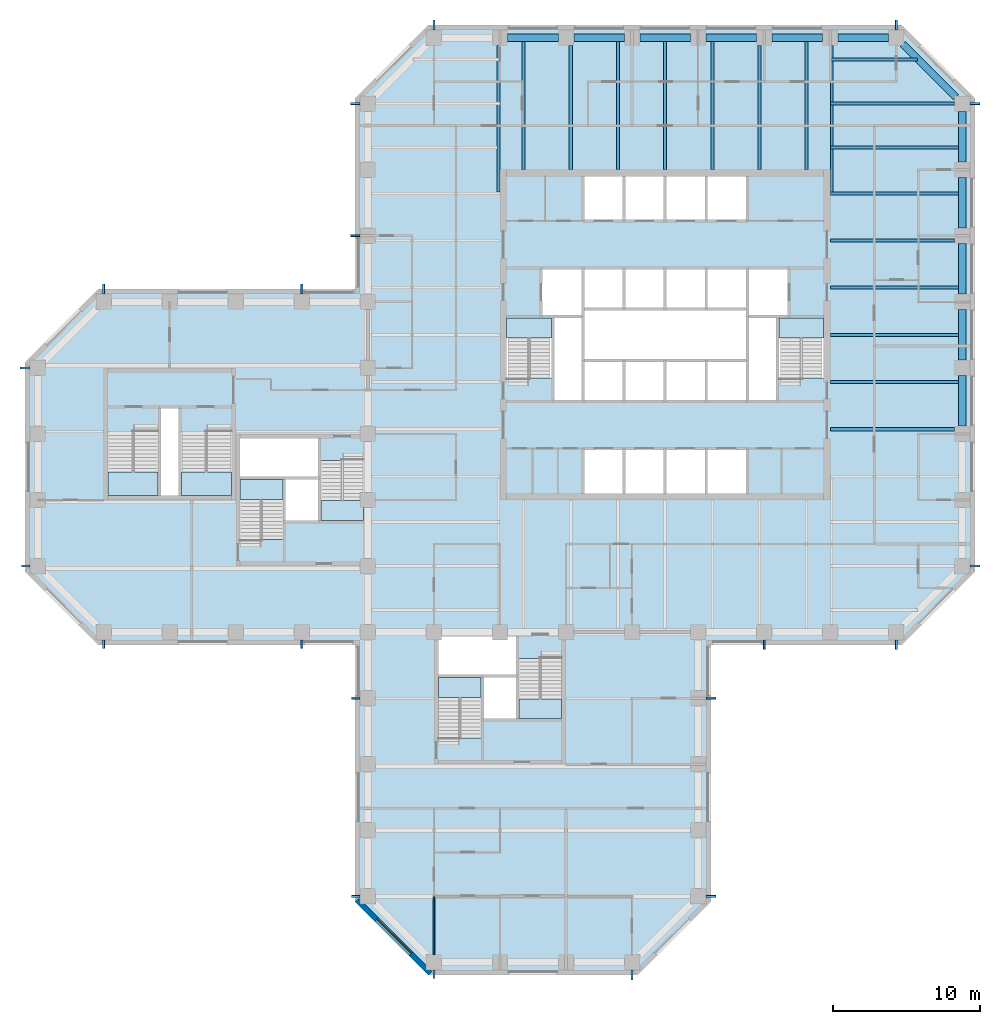
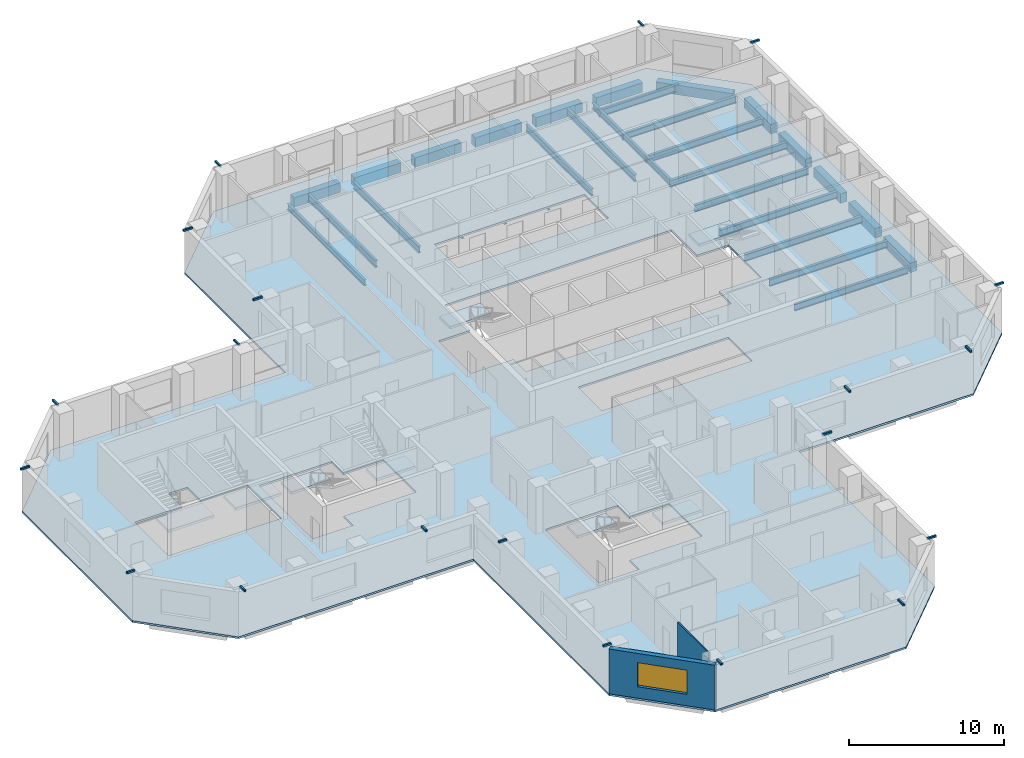
# One storey, part 2 of 11: 50 beams, 9 slabs, 2 walls, 1 window, 1 opening, 8 elements without a shape of their own.
"""IFC4 building model written with IfcOpenShell, lengths in metres."""

from ifc_helpers import new_model, si_unit, direction, frame, frame_2d, origin, origin_2d, place, context, subcontext, project, spatial, polyline, rectangle, hollow_rectangle, i_section, outline, extrude, material, layer, layer_set, constituent, constituent_set, material_profile, profile_set, type_object, element, fill, aggregate, save


model = new_model("IFC4")

# Units and contexts
model_context = context("Model", 3, precision=1e-05, world=origin(), true_north=direction((0.0, 1.0)))
body_context = subcontext(model_context, "Body", "Model", "MODEL_VIEW")
ifc_project = project(units=[si_unit("LENGTHUNIT", "METRE"), si_unit("AREAUNIT", "SQUARE_METRE"), si_unit("VOLUMEUNIT", "CUBIC_METRE"), si_unit("PLANEANGLEUNIT", "RADIAN"), si_unit("MASSUNIT", "GRAM", prefix="KILO")], contexts=[model_context])

# Site, building, storey
site_placement = place(None, origin())
site = spatial("IfcSite", under=ifc_project, at=site_placement, CompositionType="ELEMENT")
building_placement = place(site_placement, origin())
building = spatial("IfcBuilding", under=site, at=building_placement, Name="Quoin Convention Tower", CompositionType="ELEMENT")
storey_placement = place(building_placement, frame((0.0, 0.0, 123.300048828125)))
storey = spatial("IfcBuildingStorey", under=building, at=storey_placement, Name="L32", CompositionType="ELEMENT", Elevation=123.300048828125)

# Beams
ifc_material_1 = material(Name="Steel C450L0", Category="steel")
ifc_material_profile_1 = material_profile(ifc_material_1, hollow_rectangle(XDim=0.14990234375, YDim=0.14990234375, WallThickness=0.008056640625, InnerFilletRadius=0.011962890625, OuterFilletRadius=0.02001953125, at=origin_2d()), Name="150x150x8.0SHS")
ifc_profile_set_1 = profile_set([ifc_material_profile_1], Name="Steel C450L0")
beam_type_1 = type_object("IfcBeamType", Name="150x150x8.0SHS", PredefinedType="BEAM", material=ifc_profile_set_1)
beam_1_placement = place(storey_placement, frame((12.97509765625, 58.5, 3.625), z_axis=(-1.0, 0.0, 0.0), x_axis=(0.0, -1.0, 0.0)))
element("IfcBeam", 1, at=beam_1_placement, inside=storey, type_object=beam_type_1, Name="brk-hi-L29-13500_58500-13500_54000", PredefinedType="BEAM", context=body_context, shape_type="SweptSolid", body=[
    extrude(hollow_rectangle(XDim=0.14990234375, YDim=0.14990234375, WallThickness=0.008056640625, InnerFilletRadius=0.011962890625, OuterFilletRadius=0.02001953125, at=origin_2d()), origin(), (0.0, 0.0, 1.0), 0.675048828125),
])
for number, where, z_axis, x_axis, name in (
    (2, (12.97509765625, 45.0, 3.625), (-1.0, 0.0, 0.0), (0.0, -1.0, 0.0), "brk-hi-L29-13500_49500-13500_45000"),
    (3, (18.0, 39.97509765625, 3.625), (0.0, -1.0, 0.0), (1.0, 0.0, 0.0), "brk-hi-L29-18000_40500-22500_40500"),
    (4, (31.5, 39.97509765625, 3.625), (0.0, -1.0, 0.0), (1.0, 0.0, 0.0), "brk-hi-L29-27000_40500-31500_40500"),
    (5, (35.47509765625, 36.0, 3.625), (-1.0, 0.0, 0.0), (0.0, -1.0, 0.0), "brk-hi-L29-36000_36000-36000_31500"),
    (6, (35.47509765625, 22.5, 3.625), (-1.0, 0.0, 0.0), (0.0, -1.0, 0.0), "brk-hi-L29-36000_27000-36000_22500"),
):
    element("IfcBeam", number, at=place(storey_placement, frame(where, z_axis=z_axis, x_axis=x_axis)), inside=storey, type_object=beam_type_1, Name=name, PredefinedType="BEAM", context=body_context, shape_type="SweptSolid", body=[
        extrude(hollow_rectangle(XDim=0.14990234375, YDim=0.14990234375, WallThickness=0.008056640625, InnerFilletRadius=0.011962890625, OuterFilletRadius=0.02001953125, at=origin_2d()), origin(), (0.0, 0.0, 1.0), 0.5751953125),
    ])
for number, where, z_axis, x_axis, name in (
    (7, (31.5, 63.52490234375, 3.625), (0.0, 1.0, 0.0), (-1.0, 0.0, 0.0), "brk-hi-L29-31500_63000-27000_63000"),
    (8, (18.0, 63.52490234375, 3.625), (0.0, 1.0, 0.0), (-1.0, 0.0, 0.0), "brk-hi-L29-22500_63000-18000_63000"),
    (9, (35.47509765625, 76.5, 3.625), (-1.0, 0.0, 0.0), (0.0, -1.0, 0.0), "brk-hi-L29-36000_76500-36000_72000"),
    (10, (35.47509765625, 67.5, 3.625), (-1.0, 0.0, 0.0), (0.0, -1.0, 0.0), "brk-hi-L29-36000_72000-36000_67500"),
):
    element("IfcBeam", number, at=place(storey_placement, frame(where, z_axis=z_axis, x_axis=x_axis)), inside=storey, type_object=beam_type_1, Name=name, PredefinedType="BEAM", context=body_context, shape_type="SweptSolid", body=[
        extrude(hollow_rectangle(XDim=0.14990234375, YDim=0.14990234375, WallThickness=0.008056640625, InnerFilletRadius=0.011962890625, OuterFilletRadius=0.02001953125, at=origin_2d()), origin(), (0.0, 0.0, 1.0), 0.675048828125),
    ])
beam_2_placement = place(storey_placement, frame((40.5, 17.47509765625, 3.625), z_axis=(0.0, -1.0, 0.0), x_axis=(1.0, 0.0, 0.0)))
element("IfcBeam", 11, at=beam_2_placement, inside=storey, type_object=beam_type_1, Name="brk-hi-L29-40500_18000-45000_18000", PredefinedType="BEAM", context=body_context, shape_type="SweptSolid", body=[
    extrude(hollow_rectangle(XDim=0.14990234375, YDim=0.14990234375, WallThickness=0.008056640625, InnerFilletRadius=0.011962890625, OuterFilletRadius=0.02001953125, at=origin_2d()), origin(), (0.0, 0.0, 1.0), 0.5751953125),
])
for number, where, z_axis, x_axis, name in (
    (12, (54.0, 17.47509765625, 3.625), (0.0, -1.0, 0.0), (1.0, 0.0, 0.0), "brk-hi-L29-49500_18000-54000_18000"),
    (13, (59.02490234375, 22.5, 3.625), (1.0, 0.0, 0.0), (0.0, 1.0, 0.0), "brk-hi-L29-58500_22500-58500_27000"),
    (14, (59.02490234375, 36.0, 3.625), (1.0, 0.0, 0.0), (0.0, 1.0, 0.0), "brk-hi-L29-58500_31500-58500_36000"),
    (15, (63.0, 39.97509765625, 3.625), (0.0, -1.0, 0.0), (1.0, 0.0, 0.0), "brk-hi-L29-63000_40500-67500_40500"),
    (16, (72.0, 39.97509765625, 3.625), (0.0, -1.0, 0.0), (1.0, 0.0, 0.0), "brk-hi-L29-67500_40500-72000_40500"),
    (17, (72.0, 81.52490234375, 3.625), (0.0, 1.0, 0.0), (-1.0, 0.0, 0.0), "brk-hi-L29-72000_81000-67500_81000"),
    (18, (40.5, 81.52490234375, 3.625), (0.0, 1.0, 0.0), (-1.0, 0.0, 0.0), "brk-hi-L29-45000_81000-40500_81000"),
    (19, (77.02490234375, 45.0, 3.625), (1.0, 0.0, 0.0), (0.0, 1.0, 0.0), "brk-hi-L29-76500_45000-76500_49500"),
    (20, (77.02490234375, 76.5, 3.625), (1.0, 0.0, 0.0), (0.0, 1.0, 0.0), "brk-hi-L29-76500_72000-76500_76500"),
):
    element("IfcBeam", number, at=place(storey_placement, frame(where, z_axis=z_axis, x_axis=x_axis)), inside=storey, type_object=beam_type_1, Name=name, PredefinedType="BEAM", context=body_context, shape_type="SweptSolid", body=[
        extrude(hollow_rectangle(XDim=0.14990234375, YDim=0.14990234375, WallThickness=0.008056640625, InnerFilletRadius=0.011962890625, OuterFilletRadius=0.02001953125, at=origin_2d()), origin(), (0.0, 0.0, 1.0), 0.675048828125),
    ])
ifc_material_2 = material(Name="Steel Grade 300", Category="steel")
ifc_material_profile_2 = material_profile(ifc_material_2, i_section(OverallWidth=0.18994140625, OverallDepth=0.4541015625, WebThickness=0.008544921875, FlangeThickness=0.0126953125, FilletRadius=0.011474609375, at=origin_2d()), Name="460UB67.1")
ifc_profile_set_2 = profile_set([ifc_material_profile_2], Name="Steel Grade 300")
beam_type_2 = type_object("IfcBeamType", Name="460UB67.1", PredefinedType="BEAM", material=ifc_profile_set_2)
for number, where, z_axis, x_axis, name in (
    (21, (44.8955078125, 80.47509765625, -0.376953125), (0.0, -1.0, 0.0), (1.0, 0.0, 0.0), "gir-L32-T1NW"),
    (22, (67.6044921875, 80.47509765625, -0.376953125), (0.0, -1.0, 0.0), (1.0, 0.0, 0.0), "gir-L32-T1NE"),
):
    element("IfcBeam", number, at=place(storey_placement, frame(where, z_axis=z_axis, x_axis=x_axis)), inside=storey, type_object=beam_type_2, Name=name, PredefinedType="BEAM", context=body_context, shape_type="SweptSolid", body=[
        extrude(i_section(OverallWidth=0.18994140625, OverallDepth=0.4541015625, WebThickness=0.008544921875, FlangeThickness=0.0126953125, FilletRadius=0.011474609375, at=origin_2d()), origin(), (0.0, 0.0, 1.0), 9.977783203125),
    ])
ifc_material_profile_3 = material_profile(ifc_material_2, i_section(OverallWidth=0.208984375, OverallDepth=0.528076171875, WebThickness=0.009521484375, FlangeThickness=0.01318359375, FilletRadius=0.013916015625, at=origin_2d()), Name="530UB82.0")
ifc_profile_set_3 = profile_set([ifc_material_profile_3], Name="Steel Grade 300")
beam_type_3 = type_object("IfcBeamType", Name="530UB82.0", PredefinedType="BEAM", material=ifc_profile_set_3)
beam_3_placement = place(storey_placement, frame((67.5, 54.3212890625, -0.4140625), z_axis=(1.0, 0.0, 0.0), x_axis=(0.0, 1.0, 0.0)))
element("IfcBeam", 23, at=beam_3_placement, inside=storey, type_object=beam_type_3, Name="bm-L32-T1E1", PredefinedType="BEAM", context=body_context, shape_type="SweptSolid", body=[
    extrude(i_section(OverallWidth=0.208984375, OverallDepth=0.528076171875, WebThickness=0.009521484375, FlangeThickness=0.01318359375, FilletRadius=0.013916015625, at=origin_2d()), origin(), (0.0, 0.0, 1.0), 8.47509765625),
])
for number, where, z_axis, x_axis, name in (
    (24, (67.5, 57.53564453125, -0.4140625), (1.0, 0.0, 0.0), (0.0, 1.0, 0.0), "bm-L32-T1E2"),
    (25, (67.5, 60.75, -0.4140625), (1.0, 0.0, 0.0), (0.0, 1.0, 0.0), "bm-L32-T1E3"),
    (26, (67.5, 63.96435546875, -0.4140625), (1.0, 0.0, 0.0), (0.0, 1.0, 0.0), "bm-L32-T1E4"),
):
    element("IfcBeam", number, at=place(storey_placement, frame(where, z_axis=z_axis, x_axis=x_axis)), inside=storey, type_object=beam_type_3, Name=name, PredefinedType="BEAM", context=body_context, shape_type="SweptSolid", body=[
        extrude(i_section(OverallWidth=0.208984375, OverallDepth=0.528076171875, WebThickness=0.009521484375, FlangeThickness=0.01318359375, FilletRadius=0.013916015625, at=origin_2d()), origin(), (0.0, 0.0, 1.0), 8.75),
    ])
beam_4_placement = place(storey_placement, frame((67.5, 67.1787109375, -0.4140625), z_axis=(1.0, 0.0, 0.0), x_axis=(0.0, 1.0, 0.0)))
element("IfcBeam", 27, at=beam_4_placement, inside=storey, type_object=beam_type_3, Name="bm-L32-T1E5", PredefinedType="BEAM", context=body_context, shape_type="SweptSolid", body=[
    extrude(i_section(OverallWidth=0.208984375, OverallDepth=0.528076171875, WebThickness=0.009521484375, FlangeThickness=0.01318359375, FilletRadius=0.013916015625, at=origin_2d()), origin(), (0.0, 0.0, 1.0), 8.47509765625),
])
for number, where, z_axis, x_axis, name in (
    (28, (67.5, 70.392822265625, -0.4140625), (1.0, 0.0, 0.0), (0.0, 1.0, 0.0), "bm-L32-T1E6"),
    (29, (46.607177734375, 72.0, -0.4140625), (0.0, 1.0, 0.0), (-1.0, 0.0, 0.0), "bm-L32-T1N0"),
):
    element("IfcBeam", number, at=place(storey_placement, frame(where, z_axis=z_axis, x_axis=x_axis)), inside=storey, type_object=beam_type_3, Name=name, PredefinedType="BEAM", context=body_context, shape_type="SweptSolid", body=[
        extrude(i_section(OverallWidth=0.208984375, OverallDepth=0.528076171875, WebThickness=0.009521484375, FlangeThickness=0.01318359375, FilletRadius=0.013916015625, at=origin_2d()), origin(), (0.0, 0.0, 1.0), 8.75),
    ])
beam_5_placement = place(storey_placement, frame((49.8212890625, 72.0, -0.4140625), z_axis=(0.0, 1.0, 0.0), x_axis=(-1.0, 0.0, 0.0)))
element("IfcBeam", 30, at=beam_5_placement, inside=storey, type_object=beam_type_3, Name="bm-L32-T1N1", PredefinedType="BEAM", context=body_context, shape_type="SweptSolid", body=[
    extrude(i_section(OverallWidth=0.208984375, OverallDepth=0.528076171875, WebThickness=0.009521484375, FlangeThickness=0.01318359375, FilletRadius=0.013916015625, at=origin_2d()), origin(), (0.0, 0.0, 1.0), 8.47509765625),
])
for number, where, z_axis, x_axis, name in (
    (31, (53.03564453125, 72.0, -0.4140625), (0.0, 1.0, 0.0), (-1.0, 0.0, 0.0), "bm-L32-T1N2"),
    (32, (56.25, 72.0, -0.4140625), (0.0, 1.0, 0.0), (-1.0, 0.0, 0.0), "bm-L32-T1N3"),
    (33, (59.46435546875, 72.0, -0.4140625), (0.0, 1.0, 0.0), (-1.0, 0.0, 0.0), "bm-L32-T1N4"),
):
    element("IfcBeam", number, at=place(storey_placement, frame(where, z_axis=z_axis, x_axis=x_axis)), inside=storey, type_object=beam_type_3, Name=name, PredefinedType="BEAM", context=body_context, shape_type="SweptSolid", body=[
        extrude(i_section(OverallWidth=0.208984375, OverallDepth=0.528076171875, WebThickness=0.009521484375, FlangeThickness=0.01318359375, FilletRadius=0.013916015625, at=origin_2d()), origin(), (0.0, 0.0, 1.0), 8.75),
    ])
beam_6_placement = place(storey_placement, frame((62.6787109375, 72.0, -0.4140625), z_axis=(0.0, 1.0, 0.0), x_axis=(-1.0, 0.0, 0.0)))
element("IfcBeam", 34, at=beam_6_placement, inside=storey, type_object=beam_type_3, Name="bm-L32-T1N5", PredefinedType="BEAM", context=body_context, shape_type="SweptSolid", body=[
    extrude(i_section(OverallWidth=0.208984375, OverallDepth=0.528076171875, WebThickness=0.009521484375, FlangeThickness=0.01318359375, FilletRadius=0.013916015625, at=origin_2d()), origin(), (0.0, 0.0, 1.0), 8.47509765625),
])
beam_7_placement = place(storey_placement, frame((65.892822265625, 72.0, -0.4140625), z_axis=(0.0, 1.0, 0.0), x_axis=(-1.0, 0.0, 0.0)))
element("IfcBeam", 35, at=beam_7_placement, inside=storey, type_object=beam_type_3, Name="bm-L32-T1N6", PredefinedType="BEAM", context=body_context, shape_type="SweptSolid", body=[
    extrude(i_section(OverallWidth=0.208984375, OverallDepth=0.528076171875, WebThickness=0.009521484375, FlangeThickness=0.01318359375, FilletRadius=0.013916015625, at=origin_2d()), origin(), (0.0, 0.0, 1.0), 8.75),
])
beam_8_placement = place(storey_placement, frame((67.5, 79.5, -0.4140625), z_axis=(1.0, 0.0, 0.0), x_axis=(0.0, 1.0, 0.0)))
element("IfcBeam", 36, at=beam_8_placement, inside=storey, type_object=beam_type_3, Name="bm-L32-T1NE0", PredefinedType="BEAM", context=body_context, shape_type="SweptSolid", body=[
    extrude(i_section(OverallWidth=0.208984375, OverallDepth=0.528076171875, WebThickness=0.009521484375, FlangeThickness=0.01318359375, FilletRadius=0.013916015625, at=origin_2d()), origin(), (0.0, 0.0, 1.0), 5.927734375),
])
beam_9_placement = place(storey_placement, frame((67.5, 76.5, -0.4140625), z_axis=(1.0, 0.0, 0.0), x_axis=(0.0, 1.0, 0.0)))
element("IfcBeam", 37, at=beam_9_placement, inside=storey, type_object=beam_type_3, Name="bm-L32-T1NE1", PredefinedType="BEAM", context=body_context, shape_type="SweptSolid", body=[
    extrude(i_section(OverallWidth=0.208984375, OverallDepth=0.528076171875, WebThickness=0.009521484375, FlangeThickness=0.01318359375, FilletRadius=0.013916015625, at=origin_2d()), origin(), (0.0, 0.0, 1.0), 8.47509765625),
])
beam_10_placement = place(storey_placement, frame((67.5, 73.5, -0.4140625), z_axis=(1.0, 0.0, 0.0), x_axis=(0.0, 1.0, 0.0)))
element("IfcBeam", 38, at=beam_10_placement, inside=storey, type_object=beam_type_3, Name="bm-L32-T1NE2", PredefinedType="BEAM", context=body_context, shape_type="SweptSolid", body=[
    extrude(i_section(OverallWidth=0.208984375, OverallDepth=0.528076171875, WebThickness=0.009521484375, FlangeThickness=0.01318359375, FilletRadius=0.013916015625, at=origin_2d()), origin(), (0.0, 0.0, 1.0), 8.75),
])
ifc_material_3 = material(Name="Concrete C65", Category="concrete")
ifc_material_profile_4 = material_profile(ifc_material_3, rectangle(XDim=0.5, YDim=0.75, at=origin_2d()), Name="RC 500x750")
ifc_profile_set_4 = profile_set([ifc_material_profile_4], Name="Concrete C65")
beam_type_4 = type_object("IfcBeamType", Name="RC 500x750 C65", PredefinedType="SPANDREL", material=ifc_profile_set_4)
for number, where, z_axis, x_axis, name in (
    (39, (76.5, 54.52490234375, -0.525146484375), (0.0, 1.0, 0.0), (-1.0, 0.0, 0.0), "spd-L32-76500_54000-76500_58500"),
    (40, (76.5, 59.02490234375, -0.525146484375), (0.0, 1.0, 0.0), (-1.0, 0.0, 0.0), "spd-L32-76500_58500-76500_63000"),
    (41, (76.5, 63.52490234375, -0.525146484375), (0.0, 1.0, 0.0), (-1.0, 0.0, 0.0), "spd-L32-76500_63000-76500_67500"),
    (42, (76.5, 68.02490234375, -0.525146484375), (0.0, 1.0, 0.0), (-1.0, 0.0, 0.0), "spd-L32-76500_67500-76500_72000"),
    (43, (76.5, 72.52490234375, -0.525146484375), (0.0, 1.0, 0.0), (-1.0, 0.0, 0.0), "spd-L32-76500_72000-76500_76500"),
):
    element("IfcBeam", number, at=place(storey_placement, frame(where, z_axis=z_axis, x_axis=x_axis)), inside=storey, type_object=beam_type_4, Name=name, PredefinedType="SPANDREL", context=body_context, shape_type="SweptSolid", body=[
        extrude(rectangle(XDim=0.5, YDim=0.75, at=origin_2d()), origin(), (0.0, 0.0, 1.0), 3.4501953125),
    ])
beam_11_placement = place(storey_placement, frame((76.059814453125, 76.940185546875, -0.525146484375), z_axis=(-0.707106781187, 0.707106781187, 0.0), x_axis=(-0.707106781187, -0.707106781187, 0.0)))
element("IfcBeam", 44, at=beam_11_placement, inside=storey, type_object=beam_type_4, Name="spd-L32-76500_76500-72000_81000", PredefinedType="SPANDREL", context=body_context, shape_type="SweptSolid", body=[
    extrude(rectangle(XDim=0.5, YDim=0.75, at=origin_2d()), origin(), (0.0, 0.0, 1.0), 5.118896484375),
])
for number, where, z_axis, x_axis, name in (
    (45, (71.47509765625, 81.0, -0.525146484375), (-1.0, 0.0, 0.0), (0.0, -1.0, 0.0), "spd-L32-72000_81000-67500_81000"),
    (46, (66.97509765625, 81.0, -0.525146484375), (-1.0, 0.0, 0.0), (0.0, -1.0, 0.0), "spd-L32-67500_81000-63000_81000"),
    (47, (62.47509765625, 81.0, -0.525146484375), (-1.0, 0.0, 0.0), (0.0, -1.0, 0.0), "spd-L32-63000_81000-58500_81000"),
    (48, (57.97509765625, 81.0, -0.525146484375), (-1.0, 0.0, 0.0), (0.0, -1.0, 0.0), "spd-L32-58500_81000-54000_81000"),
    (49, (53.47509765625, 81.0, -0.525146484375), (-1.0, 0.0, 0.0), (0.0, -1.0, 0.0), "spd-L32-54000_81000-49500_81000"),
    (50, (48.97509765625, 81.0, -0.525146484375), (-1.0, 0.0, 0.0), (0.0, -1.0, 0.0), "spd-L32-49500_81000-45000_81000"),
):
    element("IfcBeam", number, at=place(storey_placement, frame(where, z_axis=z_axis, x_axis=x_axis)), inside=storey, type_object=beam_type_4, Name=name, PredefinedType="SPANDREL", context=body_context, shape_type="SweptSolid", body=[
        extrude(rectangle(XDim=0.5, YDim=0.75, at=origin_2d()), origin(), (0.0, 0.0, 1.0), 3.4501953125),
    ])

# Slab
ifc_material_4 = material(Name="Concrete C40", Category="concrete")
ifc_layer_1 = layer(ifc_material_4, 0.14990234375)
ifc_layer_set_1 = layer_set([ifc_layer_1], Name="Concrete C40")
slab_type_1 = type_object("IfcSlabType", Name="COMPOSITE SLAB 150 C40", PredefinedType="FLOOR", material=ifc_layer_set_1)
slab_1_placement = place(storey_placement, frame((0.0, 0.0, -0.150146484375)))
element("IfcSlab", 51, at=slab_1_placement, inside=storey, type_object=slab_type_1, Name="slb-L32", PredefinedType="FLOOR", context=body_context, shape_type="SweptSolid", body=[
    extrude(outline(polyline([(59.375, 22.1376953125), (54.3623046875, 17.125), (40.1376953125, 17.125), (35.125, 22.1376953125), (35.125, 39.625), (17.6376953125, 39.625), (12.625, 44.6376953125), (12.625, 58.8623046875), (17.6376953125, 63.875), (35.125, 63.875), (35.125, 76.8623046875), (40.1376953125, 81.875), (72.3623046875, 81.875), (77.375, 76.8623046875), (77.375, 44.6376953125), (72.3623046875, 39.625), (59.375, 39.625), (59.375, 22.1376953125)]), holes=[polyline([(40.800048828125, 40.199951171875), (40.800048828125, 37.5), (40.800048828125, 33.300537109375), (43.800048828125, 33.300537109375), (43.800048828125, 34.5), (46.199951171875, 34.5), (49.199951171875, 34.5), (49.199951171875, 38.699462890625), (46.199951171875, 38.699462890625), (46.199951171875, 40.199951171875), (40.800048828125, 40.199951171875)]), polyline([(35.699951171875, 52.199462890625), (32.699951171875, 52.199462890625), (32.699951171875, 53.699951171875), (27.300048828125, 53.699951171875), (27.300048828125, 51.0), (27.300048828125, 46.800537109375), (30.300048828125, 46.800537109375), (30.300048828125, 48.0), (32.699951171875, 48.0), (35.699951171875, 48.0), (35.699951171875, 52.199462890625)]), polyline([(53.449951171875, 49.949951171875), (56.25, 49.949951171875), (59.050048828125, 49.949951171875), (61.85009765625, 49.949951171875), (61.85009765625, 53.0), (59.050048828125, 53.0), (56.25, 53.0), (53.449951171875, 53.0), (50.64990234375, 53.0), (50.64990234375, 49.949951171875), (53.449951171875, 49.949951171875)]), polyline([(21.800048828125, 55.85009765625), (21.800048828125, 54.1494140625), (18.300048828125, 54.1494140625), (18.300048828125, 49.800048828125), (21.800048828125, 49.800048828125), (23.199951171875, 49.800048828125), (26.699951171875, 49.800048828125), (26.699951171875, 54.1494140625), (23.199951171875, 54.1494140625), (23.199951171875, 55.85009765625), (21.800048828125, 55.85009765625)]), polyline([(48.60009765625, 57.800537109375), (48.60009765625, 56.199951171875), (50.64990234375, 56.199951171875), (53.449951171875, 56.199951171875), (56.25, 56.199951171875), (59.050048828125, 56.199951171875), (61.85009765625, 56.199951171875), (63.89990234375, 56.199951171875), (63.89990234375, 57.800537109375), (67.050048828125, 57.800537109375), (67.050048828125, 62.0), (64.699951171875, 62.0), (64.699951171875, 65.300048828125), (61.85009765625, 65.300048828125), (59.050048828125, 65.300048828125), (56.25, 65.300048828125), (53.449951171875, 65.300048828125), (50.64990234375, 65.300048828125), (47.800048828125, 65.300048828125), (47.800048828125, 62.0), (45.449951171875, 62.0), (45.449951171875, 57.800537109375), (48.60009765625, 57.800537109375)]), polyline([(50.64990234375, 68.5), (53.449951171875, 68.5), (56.25, 68.5), (59.050048828125, 68.5), (61.85009765625, 68.5), (61.85009765625, 71.550048828125), (59.050048828125, 71.550048828125), (56.25, 71.550048828125), (53.449951171875, 71.550048828125), (50.64990234375, 71.550048828125), (50.64990234375, 68.5)])]), origin(), (0.0, 0.0, 1.0), 0.150146484375),
])

# Stair, slab
stair_type_1 = type_object("IfcStairType", Name="Exit stair two-flight 1350", PredefinedType="HALF_TURN_STAIR", material=ifc_material_4)
stair_1_placement = place(storey_placement, origin())
stair_1 = element("IfcStair", 52, at=stair_1_placement, inside=storey, type_object=stair_type_1, Name="SD1 L32", PredefinedType="HALF_TURN_STAIR")
ifc_layer_2 = layer(ifc_material_4, 0.199951171875)
ifc_layer_set_2 = layer_set([ifc_layer_2], Name="Concrete C40")
slab_type_2 = type_object("IfcSlabType", Name="Stair landing 200", PredefinedType="LANDING", material=ifc_layer_set_2)
slab_2_placement = place(storey_placement, frame((0.0, 0.0, 1.792236328125)))
slab_2 = element("IfcSlab", 53, at=slab_2_placement, type_object=slab_type_2, Name="ST1 landing 1", PredefinedType="LANDING", context=body_context, shape_type="SweptSolid", body=[
    extrude(outline(polyline([(45.449951171875, 60.550048828125), (48.5, 60.550048828125), (48.5, 61.89990234375), (45.449951171875, 61.89990234375), (45.449951171875, 60.550048828125)])), origin(), (0.0, 0.0, 1.0), 0.199951171875),
])
aggregate(stair_1, [slab_2])

stair_2_placement = place(storey_placement, origin())
stair_2 = element("IfcStair", 54, at=stair_2_placement, inside=storey, type_object=stair_type_1, Name="SD2 L32", PredefinedType="HALF_TURN_STAIR")
slab_3_placement = place(storey_placement, frame((0.0, 0.0, 1.792236328125)))
slab_3 = element("IfcSlab", 55, at=slab_3_placement, type_object=slab_type_2, Name="ST2 landing 1", PredefinedType="LANDING", context=body_context, shape_type="SweptSolid", body=[
    extrude(outline(polyline([(64.0, 60.550048828125), (67.050048828125, 60.550048828125), (67.050048828125, 61.89990234375), (64.0, 61.89990234375), (64.0, 60.550048828125)])), origin(), (0.0, 0.0, 1.0), 0.199951171875),
])
aggregate(stair_2, [slab_3])

stair_3_placement = place(storey_placement, origin())
stair_3 = element("IfcStair", 56, at=stair_3_placement, inside=storey, type_object=stair_type_1, Name="SD3 L32", PredefinedType="HALF_TURN_STAIR")
slab_4_placement = place(storey_placement, frame((0.0, 0.0, 1.792236328125)))
slab_4 = element("IfcSlab", 57, at=slab_4_placement, type_object=slab_type_2, Name="ST3 landing 1", PredefinedType="LANDING", context=body_context, shape_type="SweptSolid", body=[
    extrude(outline(polyline([(27.300048828125, 49.550048828125), (30.199951171875, 49.550048828125), (30.199951171875, 50.89990234375), (27.300048828125, 50.89990234375), (27.300048828125, 49.550048828125)])), origin(), (0.0, 0.0, 1.0), 0.199951171875),
])
aggregate(stair_3, [slab_4])

stair_4_placement = place(storey_placement, origin())
stair_4 = element("IfcStair", 58, at=stair_4_placement, inside=storey, type_object=stair_type_1, Name="SD4 L32", PredefinedType="HALF_TURN_STAIR")
slab_5_placement = place(storey_placement, frame((0.0, 0.0, 1.792236328125)))
slab_5 = element("IfcSlab", 59, at=slab_5_placement, type_object=slab_type_2, Name="ST4 landing 1", PredefinedType="LANDING", context=body_context, shape_type="SweptSolid", body=[
    extrude(outline(polyline([(35.699951171875, 49.449951171875), (32.800048828125, 49.449951171875), (32.800048828125, 48.10009765625), (35.699951171875, 48.10009765625), (35.699951171875, 49.449951171875)])), origin(), (0.0, 0.0, 1.0), 0.199951171875),
])
aggregate(stair_4, [slab_5])

stair_5_placement = place(storey_placement, origin())
stair_5 = element("IfcStair", 60, at=stair_5_placement, inside=storey, type_object=stair_type_1, Name="SD5 L32", PredefinedType="HALF_TURN_STAIR")
slab_6_placement = place(storey_placement, frame((0.0, 0.0, 1.792236328125)))
slab_6 = element("IfcSlab", 61, at=slab_6_placement, type_object=slab_type_2, Name="ST5 landing 1", PredefinedType="LANDING", context=body_context, shape_type="SweptSolid", body=[
    extrude(outline(polyline([(40.800048828125, 36.050048828125), (43.699951171875, 36.050048828125), (43.699951171875, 37.39990234375), (40.800048828125, 37.39990234375), (40.800048828125, 36.050048828125)])), origin(), (0.0, 0.0, 1.0), 0.199951171875),
])
aggregate(stair_5, [slab_6])

stair_6_placement = place(storey_placement, origin())
stair_6 = element("IfcStair", 62, at=stair_6_placement, inside=storey, type_object=stair_type_1, Name="SD6 L32", PredefinedType="HALF_TURN_STAIR")
slab_7_placement = place(storey_placement, frame((0.0, 0.0, 1.792236328125)))
slab_7 = element("IfcSlab", 63, at=slab_7_placement, type_object=slab_type_2, Name="ST6 landing 1", PredefinedType="LANDING", context=body_context, shape_type="SweptSolid", body=[
    extrude(outline(polyline([(49.199951171875, 35.949951171875), (46.300048828125, 35.949951171875), (46.300048828125, 34.60009765625), (49.199951171875, 34.60009765625), (49.199951171875, 35.949951171875)])), origin(), (0.0, 0.0, 1.0), 0.199951171875),
])
aggregate(stair_6, [slab_7])

stair_type_2 = type_object("IfcStairType", Name="Exit stair two-flight 1600", PredefinedType="HALF_TURN_STAIR", material=ifc_material_4)
stair_7_placement = place(storey_placement, origin())
stair_7 = element("IfcStair", 64, at=stair_7_placement, inside=storey, type_object=stair_type_2, Name="SD11 L32", PredefinedType="HALF_TURN_STAIR")
slab_8_placement = place(storey_placement, frame((0.0, 0.0, 1.792236328125)))
slab_8 = element("IfcSlab", 65, at=slab_8_placement, type_object=slab_type_2, Name="ST11 landing 1", PredefinedType="LANDING", context=body_context, shape_type="SweptSolid", body=[
    extrude(outline(polyline([(21.699951171875, 51.39990234375), (18.300048828125, 51.39990234375), (18.300048828125, 49.800048828125), (21.699951171875, 49.800048828125), (21.699951171875, 51.39990234375)])), origin(), (0.0, 0.0, 1.0), 0.199951171875),
])
aggregate(stair_7, [slab_8])

stair_8_placement = place(storey_placement, origin())
stair_8 = element("IfcStair", 66, at=stair_8_placement, inside=storey, type_object=stair_type_2, Name="SD12 L32", PredefinedType="HALF_TURN_STAIR")
slab_9_placement = place(storey_placement, frame((0.0, 0.0, 1.792236328125)))
slab_9 = element("IfcSlab", 67, at=slab_9_placement, type_object=slab_type_2, Name="ST12 landing 1", PredefinedType="LANDING", context=body_context, shape_type="SweptSolid", body=[
    extrude(outline(polyline([(26.699951171875, 51.39990234375), (23.300048828125, 51.39990234375), (23.300048828125, 49.800048828125), (26.699951171875, 49.800048828125), (26.699951171875, 51.39990234375)])), origin(), (0.0, 0.0, 1.0), 0.199951171875),
])
aggregate(stair_8, [slab_9])

# Wall, opening, window
ifc_material_5 = material(Name="Brick masonry", Category="masonry")
ifc_layer_3 = layer(ifc_material_5, 0.35009765625)
ifc_layer_set_3 = layer_set([ifc_layer_3], Name="Brick masonry")
wall_type_1 = type_object("IfcWallType", Name="Brick facade wall", PredefinedType="STANDARD", material=ifc_layer_set_3)
wall_1_placement = place(storey_placement, frame((35.248779296875, 22.26123046875, 0.0), z_axis=(0.0, 0.0, 1.0), x_axis=(0.707106781187, -0.707106781187, 0.0)))
wall_1 = element("IfcWall", 68, at=wall_1_placement, inside=storey, type_object=wall_type_1, Name="fw-L32-36000_22500", PredefinedType="STANDARD", context=body_context, shape_type="SweptSolid", body=[
    extrude(rectangle(XDim=7.088623046875, YDim=0.35009765625, at=frame_2d((3.54443359375, 0.0))), origin(), (0.0, 0.0, 1.0), 3.52490234375),
])
opening_placement = place(wall_1_placement, frame((1.894287109375, 0.0, 0.89990234375)))
opening = element("IfcOpeningElement", 69, at=opening_placement, cuts=wall_1, Name="Opening W-02", PredefinedType="OPENING", context=body_context, shape_type="SweptSolid", body=[
    extrude(rectangle(XDim=3.300048828125, YDim=1.89990234375, at=frame_2d((1.64990234375, 0.949951171875))), frame((0.0, 0.18505859375, 0.0), z_axis=(0.0, -1.0, 0.0), x_axis=(1.0, 0.0, 0.0)), (0.0, 0.0, 1.0), 0.3701171875),
])
ifc_material_6 = material(Name="Aluminium", Category="aluminium")
ifc_constituent_1 = constituent(ifc_material_6, Name="Frame")
ifc_material_7 = material(Name="Insulated glass", Category="glass")
ifc_constituent_2 = constituent(ifc_material_7, Name="Glazing")
ifc_constituent_set = constituent_set(constituents=[ifc_constituent_1, ifc_constituent_2], Name="Aluminium")
window_type = type_object("IfcWindowType", Name="Office window", PartitioningType="DOUBLE_PANEL_VERTICAL", PredefinedType="WINDOW", material=ifc_constituent_set)
window_placement = place(opening_placement, origin())
window = element("IfcWindow", 70, at=window_placement, inside=storey, type_object=window_type, Name="win-L32-37755_19755", OverallHeight=1.89990234375, OverallWidth=3.300048828125, PartitioningType="SINGLE_PANEL", PredefinedType="WINDOW", context=body_context, shape_type="SweptSolid", body=[
    extrude(rectangle(XDim=3.300048828125, YDim=1.89990234375, at=frame_2d((1.64990234375, 0.949951171875))), frame((0.0, 0.0849609375, 0.0), z_axis=(0.0, -1.0, 0.0), x_axis=(1.0, 0.0, 0.0)), (0.0, 0.0, 1.0), 0.06005859375),
])
fill(opening, window)

# Wall
ifc_material_8 = material(Name="Plasterboard")
ifc_layer_4 = layer(ifc_material_8, 0.012451171875, Name="Finish")
ifc_material_9 = material(Name="Steel stud framing", Category="steel")
ifc_layer_5 = layer(ifc_material_9, 0.074951171875, Name="Structure")
ifc_layer_6 = layer(ifc_material_8, 0.012451171875, Name="Finish")
ifc_layer_set_4 = layer_set([ifc_layer_4, ifc_layer_5, ifc_layer_6], Name="Steel stud framing")
wall_type_2 = type_object("IfcWallType", Name="Stud partition 100", PredefinedType="PARTITIONING", material=ifc_layer_set_4)
wall_2_placement = place(storey_placement, frame((40.5, 18.52490234375, 0.0), z_axis=(0.0, 0.0, 1.0), x_axis=(0.0, 1.0, 0.0)))
element("IfcWall", 71, at=wall_2_placement, inside=storey, type_object=wall_type_2, Name="pw-L32-061", PredefinedType="PARTITIONING", context=body_context, shape_type="SweptSolid", body=[
    extrude(rectangle(XDim=3.97509765625, YDim=0.10009765625, at=frame_2d((1.987548828125, 0.0))), origin(), (0.0, 0.0, 1.0), 3.550048828125),
])

save(model, "model.ifc")
